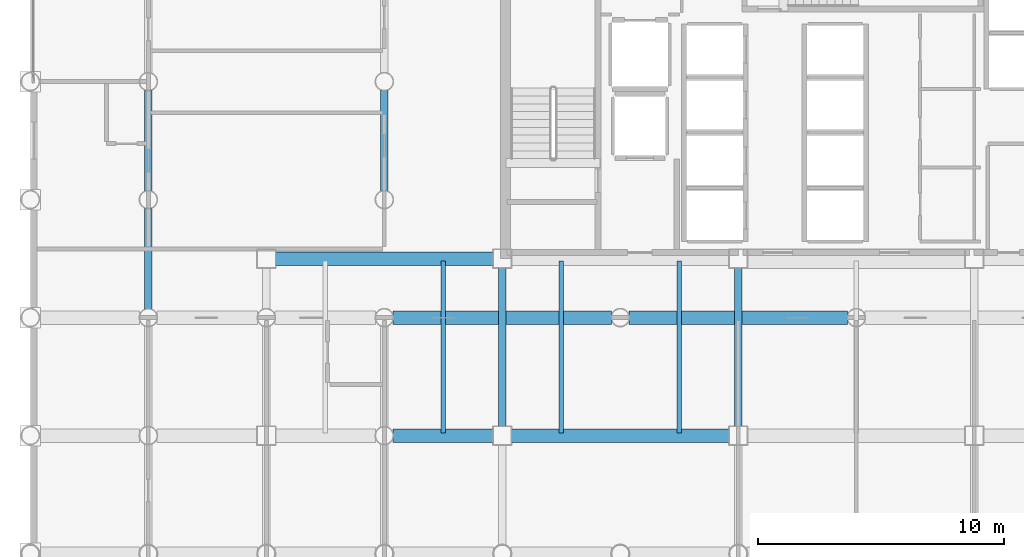
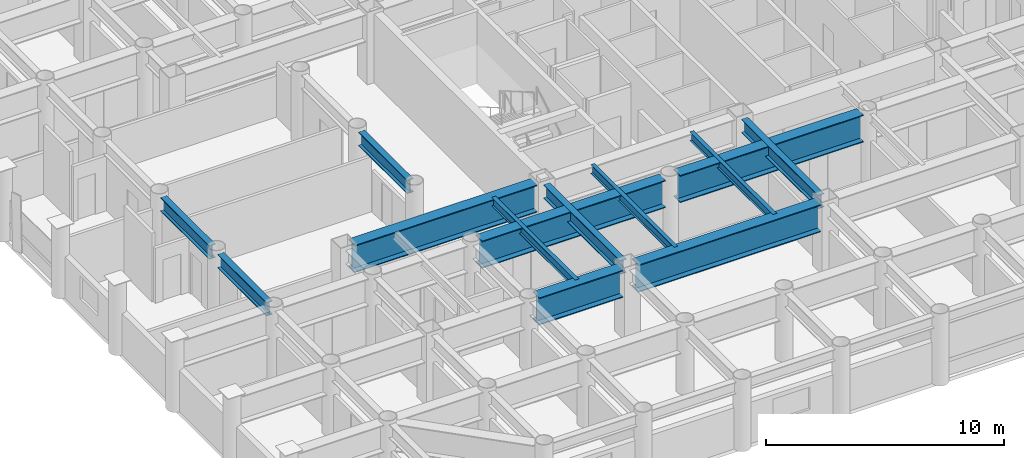
# One storey, part 5 of 26: 13 beams.
"""IFC4 building model written with IfcOpenShell, lengths in metres."""

from ifc_helpers import new_model, si_unit, direction, frame, origin, origin_2d, place, context, subcontext, project, spatial, i_section, extrude, material, material_profile, profile_set, type_object, element, save


model = new_model("IFC4")

# Units and contexts
model_context = context("Model", 3, precision=1e-05, world=origin(), true_north=direction((0.0, 1.0)))
body_context = subcontext(model_context, "Body", "Model", "MODEL_VIEW")
ifc_project = project(units=[si_unit("LENGTHUNIT", "METRE"), si_unit("AREAUNIT", "SQUARE_METRE"), si_unit("VOLUMEUNIT", "CUBIC_METRE"), si_unit("PLANEANGLEUNIT", "RADIAN"), si_unit("MASSUNIT", "GRAM", prefix="KILO")], contexts=[model_context])

# Site, building, storey
site_placement = place(None, origin())
site = spatial("IfcSite", under=ifc_project, at=site_placement, CompositionType="ELEMENT")
building_placement = place(site_placement, origin())
building = spatial("IfcBuilding", under=site, at=building_placement, Name="Kallvorn Hotel Tower", CompositionType="ELEMENT")
storey_placement = place(building_placement, frame((0.0, 0.0, 55.89990234375)))
storey = spatial("IfcBuildingStorey", under=building, at=storey_placement, Name="L12", CompositionType="ELEMENT", Elevation=55.89990234375)

# Beams
ifc_material_1 = material(Name="Structural steel S355JR", Category="steel")
ifc_material_profile_1 = material_profile(ifc_material_1, i_section(OverallWidth=0.300048828125, OverallDepth=0.699951171875, WebThickness=0.01708984375, FlangeThickness=0.031982421875, at=origin_2d()), Name="HE 700 B")
ifc_profile_set_1 = profile_set([ifc_material_profile_1], Name="Structural steel S355JR")
beam_type_1 = type_object("IfcBeamType", Name="BM_HE700B", PredefinedType="BEAM", material=ifc_profile_set_1)
beam_1_placement = place(storey_placement, frame((-28.800048828125, -9.243896484375, 3.170166015625), z_axis=(0.0, 1.0, 0.0), x_axis=(-1.0, 0.0, 0.0)))
element("IfcBeam", 1, at=beam_1_placement, inside=storey, type_object=beam_type_1, Name="L13 Primary Y-Girder 85", PredefinedType="BEAM", context=body_context, shape_type="SweptSolid", body=[
    extrude(i_section(OverallWidth=0.300048828125, OverallDepth=0.699951171875, WebThickness=0.01708984375, FlangeThickness=0.031982421875, at=origin_2d()), origin(), (0.0, 0.0, 1.0), 4.087890625),
])
for number, where, z_axis, x_axis, name in (
    (2, (-28.800048828125, -4.444091796875, 3.170166015625), (0.0, 1.0, 0.0), (-1.0, 0.0, 0.0), "L13 Primary Y-Girder 86"),
    (3, (-19.199951171875, -4.444091796875, 3.170166015625), (0.0, 1.0, 0.0), (-1.0, 0.0, 0.0), "L13 Primary Y-Girder 102"),
):
    element("IfcBeam", number, at=place(storey_placement, frame(where, z_axis=z_axis, x_axis=x_axis)), inside=storey, type_object=beam_type_1, Name=name, PredefinedType="BEAM", context=body_context, shape_type="SweptSolid", body=[
        extrude(i_section(OverallWidth=0.300048828125, OverallDepth=0.699951171875, WebThickness=0.01708984375, FlangeThickness=0.031982421875, at=origin_2d()), origin(), (0.0, 0.0, 1.0), 4.088134765625),
    ])
for number, where, z_axis, x_axis, name in (
    (4, (-14.39990234375, -14.02490234375, 3.170166015625), (0.0, 1.0, 0.0), (-1.0, 0.0, 0.0), "L13 Primary Y-Girder 109"),
    (5, (-4.800048828125, -14.02490234375, 3.170166015625), (0.0, 1.0, 0.0), (-1.0, 0.0, 0.0), "L13 Primary Y-Girder 117"),
):
    element("IfcBeam", number, at=place(storey_placement, frame(where, z_axis=z_axis, x_axis=x_axis)), inside=storey, type_object=beam_type_1, Name=name, PredefinedType="BEAM", context=body_context, shape_type="SweptSolid", body=[
        extrude(i_section(OverallWidth=0.300048828125, OverallDepth=0.699951171875, WebThickness=0.01708984375, FlangeThickness=0.031982421875, at=origin_2d()), origin(), (0.0, 0.0, 1.0), 6.449951171875),
    ])
ifc_material_2 = material(Name="Structural steel S355JR", Category="steel")
ifc_material_profile_2 = material_profile(ifc_material_2, i_section(OverallWidth=0.18994140625, OverallDepth=0.449951171875, WebThickness=0.009521484375, FlangeThickness=0.0146484375, at=origin_2d()), Name="IPE 450")
ifc_profile_set_2 = profile_set([ifc_material_profile_2], Name="Structural steel S355JR")
beam_type_2 = type_object("IfcBeamType", Name="BM_IPE450", PredefinedType="JOIST", material=ifc_profile_set_2)
for number, where, z_axis, x_axis, name in (
    (6, (-16.800048828125, -14.300048828125, 3.295166015625), (0.0, 1.0, 0.0), (-1.0, 0.0, 0.0), "L13 Secondary Composite Joist 203"),
    (7, (-12.0, -14.300048828125, 3.295166015625), (0.0, 1.0, 0.0), (-1.0, 0.0, 0.0), "L13 Secondary Composite Joist 205"),
    (8, (-7.199951171875, -14.300048828125, 3.295166015625), (0.0, 1.0, 0.0), (-1.0, 0.0, 0.0), "L13 Secondary Composite Joist 207"),
):
    element("IfcBeam", number, at=place(storey_placement, frame(where, z_axis=z_axis, x_axis=x_axis)), inside=storey, type_object=beam_type_2, Name=name, PredefinedType="JOIST", context=body_context, shape_type="SweptSolid", body=[
        extrude(i_section(OverallWidth=0.18994140625, OverallDepth=0.449951171875, WebThickness=0.009521484375, FlangeThickness=0.0146484375, at=origin_2d()), origin(), (0.0, 0.0, 1.0), 7.0),
    ])
ifc_material_3 = material(Name="Structural steel S355JR", Category="steel")
ifc_material_profile_3 = material_profile(ifc_material_3, i_section(OverallWidth=0.550048828125, OverallDepth=1.39990234375, WebThickness=0.02490234375, FlangeThickness=0.044921875, at=origin_2d()), Name="PG 1400x550x25x45")
ifc_profile_set_3 = profile_set([ifc_material_profile_3], Name="Structural steel S355JR")
beam_type_3 = type_object("IfcBeamType", Name="BM_PG_1400", PredefinedType="BEAM", material=ifc_profile_set_3)
beam_2_placement = place(storey_placement, frame((-18.843994140625, -14.39990234375, 2.820068359375), z_axis=(1.0, 0.0, 0.0), x_axis=(0.0, 1.0, 0.0)))
element("IfcBeam", 9, at=beam_2_placement, inside=storey, type_object=beam_type_3, Name="L13 Primary X-Girder 26", PredefinedType="BEAM", context=body_context, shape_type="SweptSolid", body=[
    extrude(i_section(OverallWidth=0.550048828125, OverallDepth=1.39990234375, WebThickness=0.02490234375, FlangeThickness=0.044921875, at=origin_2d()), origin(), (0.0, 0.0, 1.0), 4.069091796875),
])
beam_3_placement = place(storey_placement, frame((-14.02490234375, -14.39990234375, 2.820068359375), z_axis=(1.0, 0.0, 0.0), x_axis=(0.0, 1.0, 0.0)))
element("IfcBeam", 10, at=beam_3_placement, inside=storey, type_object=beam_type_3, Name="L13 Primary X-Girder 27", PredefinedType="BEAM", context=body_context, shape_type="SweptSolid", body=[
    extrude(i_section(OverallWidth=0.550048828125, OverallDepth=1.39990234375, WebThickness=0.02490234375, FlangeThickness=0.044921875, at=origin_2d()), origin(), (0.0, 0.0, 1.0), 8.849853515625),
])
for number, where, z_axis, x_axis, name in (
    (11, (-18.843994140625, -9.60009765625, 2.820068359375), (1.0, 0.0, 0.0), (0.0, 1.0, 0.0), "L13 Primary X-Girder 36"),
    (12, (-9.243896484375, -9.60009765625, 2.820068359375), (1.0, 0.0, 0.0), (0.0, 1.0, 0.0), "L13 Primary X-Girder 37"),
):
    element("IfcBeam", number, at=place(storey_placement, frame(where, z_axis=z_axis, x_axis=x_axis)), inside=storey, type_object=beam_type_3, Name=name, PredefinedType="BEAM", context=body_context, shape_type="SweptSolid", body=[
        extrude(i_section(OverallWidth=0.550048828125, OverallDepth=1.39990234375, WebThickness=0.02490234375, FlangeThickness=0.044921875, at=origin_2d()), origin(), (0.0, 0.0, 1.0), 8.887939453125),
    ])
beam_4_placement = place(storey_placement, frame((-23.625, -7.199951171875, 2.820068359375), z_axis=(1.0, 0.0, 0.0), x_axis=(0.0, 1.0, 0.0)))
element("IfcBeam", 13, at=beam_4_placement, inside=storey, type_object=beam_type_3, Name="L13 Primary X-Girder 42", PredefinedType="BEAM", context=body_context, shape_type="SweptSolid", body=[
    extrude(i_section(OverallWidth=0.550048828125, OverallDepth=1.39990234375, WebThickness=0.02490234375, FlangeThickness=0.044921875, at=origin_2d()), origin(), (0.0, 0.0, 1.0), 8.85009765625),
])

save(model, "model.ifc")
